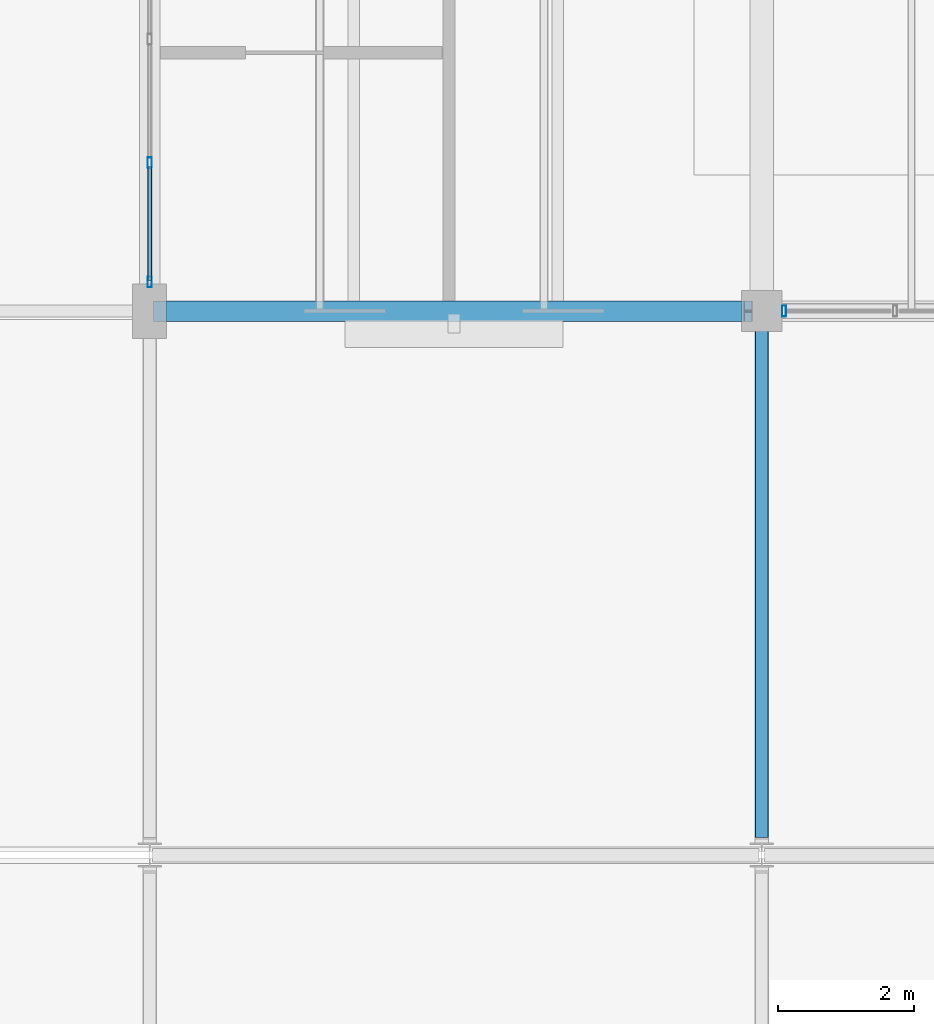
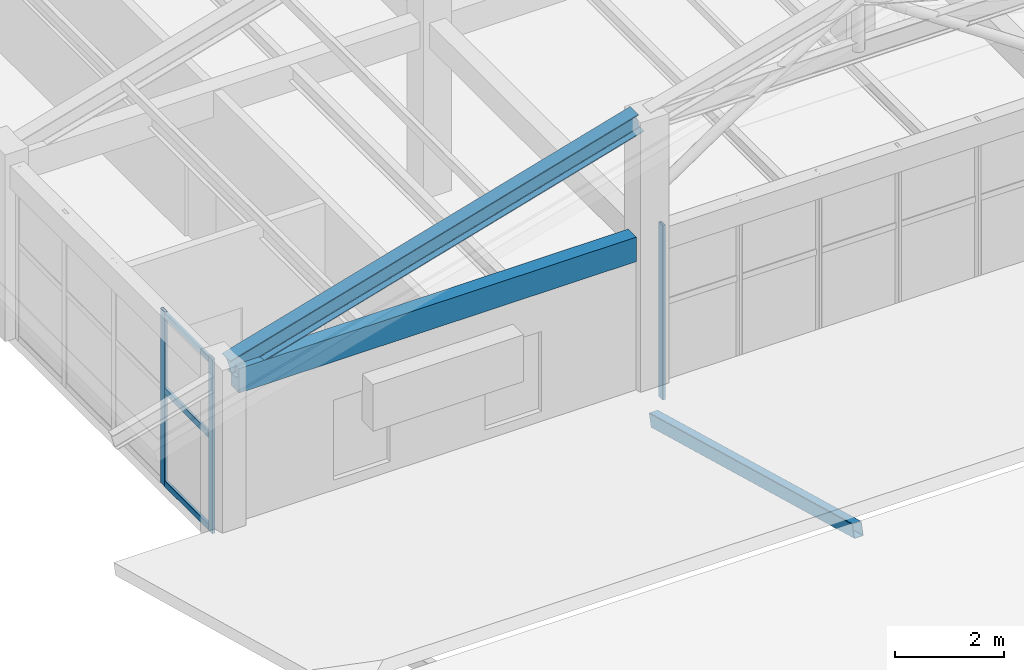
# One storey, part 9 of 58: 7 members, 2 beams, 2 elements without a shape of their own.
"""IFC4 building model written with IfcOpenShell, lengths in metres."""

from ifc_helpers import new_model, si_unit, derived_unit, direction, frame, origin, origin_2d, place, context, subcontext, project, spatial, rectangle, hollow_rectangle, i_section, extrude, material, material_profile, profile_set, type_object, element, aggregate, save


model = new_model("IFC4")

# Units and contexts
model_context = context("Model", 3, precision=1e-05, world=origin(), true_north=direction((0.0, 1.0)))
body_context = subcontext(model_context, "Body", "Model", "MODEL_VIEW")
ifc_project = project(units=[si_unit("LENGTHUNIT", "METRE"), si_unit("AREAUNIT", "SQUARE_METRE"), si_unit("VOLUMEUNIT", "CUBIC_METRE"), si_unit("PLANEANGLEUNIT", "RADIAN"), si_unit("MASSUNIT", "GRAM", prefix="KILO"), derived_unit("THERMALTRANSMITTANCEUNIT", [(si_unit("MASSUNIT", "GRAM", prefix="KILO"), 1), (si_unit("TIMEUNIT", "SECOND"), -3), (si_unit("THERMODYNAMICTEMPERATUREUNIT", "KELVIN"), -1)])], contexts=[model_context])

# Site, building, storey
site_placement = place(None, origin())
site = spatial("IfcSite", under=ifc_project, at=site_placement, CompositionType="ELEMENT")
building_placement = place(site_placement, origin())
building = spatial("IfcBuilding", under=site, at=building_placement, Name="Zhenchuan Archway Interchange", CompositionType="ELEMENT")
storey_placement = place(building_placement, frame((0.0, 0.0, 22.800048828125)))
storey = spatial("IfcBuildingStorey", under=building, at=storey_placement, Name="L05", CompositionType="ELEMENT", Elevation=22.800048828125)

# Beam
ifc_material_1 = material(Name="Steel Q355", Category="steel")
ifc_material_profile_1 = material_profile(ifc_material_1, i_section(OverallWidth=0.300048828125, OverallDepth=0.43994140625, WebThickness=0.010986328125, FlangeThickness=0.01806640625, FilletRadius=0.02197265625, at=origin_2d()), Name="HM 440x300")
ifc_profile_set_1 = profile_set([ifc_material_profile_1], Name="Steel Q355")
beam_type_1 = type_object("IfcBeamType", Name="BM_STL_HM440", PredefinedType="BEAM", material=ifc_profile_set_1)
beam_1_placement = place(storey_placement, frame((144.1201171875, 24.0, 3.93994140625), z_axis=(0.960641143949, 0.0, 0.277792355102), x_axis=(0.0, 1.0, 0.0)))
element("IfcBeam", 1, at=beam_1_placement, inside=storey, type_object=beam_type_1, Name="ROOF TRUSS command wing T1 west lower rafter", PredefinedType="BEAM", context=body_context, shape_type="SweptSolid", body=[
    extrude(i_section(OverallWidth=0.300048828125, OverallDepth=0.43994140625, WebThickness=0.010986328125, FlangeThickness=0.01806640625, FilletRadius=0.02197265625, at=origin_2d()), origin(), (0.0, 0.0, 1.0), 9.03564453125),
])

# Curtain wall, member
ifc_material_2 = material(Name="Anodised Aluminium", Category="aluminium")
curtain_wall_type_1 = type_object("IfcCurtainWallType", Name="CW_UNIT_1", PredefinedType="NOTDEFINED", material=ifc_material_2)
curtain_wall_1_placement = place(storey_placement, origin())
curtain_wall_1 = element("IfcCurtainWall", 2, at=curtain_wall_1_placement, inside=storey, type_object=curtain_wall_type_1, Name="Unitised curtain wall CW:L05:200", PredefinedType="NOTDEFINED")
ifc_material_profile_2 = material_profile(ifc_material_2, hollow_rectangle(XDim=0.06005859375, YDim=0.159912109375, WallThickness=0.00390625, InnerFilletRadius=0.00390625, OuterFilletRadius=0.008056640625, at=origin_2d()), Name="ALU 160x60x4")
ifc_profile_set_2 = profile_set([ifc_material_profile_2], Name="Anodised Aluminium")
member_type_1 = type_object("IfcMemberType", Name="CW_MUL_150", PredefinedType="MULLION", material=ifc_profile_set_2)
member_1_placement = place(storey_placement, frame((153.327880859375, 24.0, 0.0), z_axis=(0.0, 0.0, 1.0), x_axis=(1.0, 0.0, 0.0)))
member_1 = element("IfcMember", 3, at=member_1_placement, type_object=member_type_1, Name="CW:L05:200 mullion 5", PredefinedType="MULLION", context=body_context, shape_type="SweptSolid", body=[
    extrude(hollow_rectangle(XDim=0.06005859375, YDim=0.159912109375, WallThickness=0.00390625, InnerFilletRadius=0.00390625, OuterFilletRadius=0.008056640625, at=origin_2d()), origin(), (0.0, 0.0, 1.0), 3.919921875),
])
aggregate(curtain_wall_1, [member_1])

# Curtain wall, members
curtain_wall_type_2 = type_object("IfcCurtainWallType", Name="CW_UNIT_2", PredefinedType="NOTDEFINED", material=ifc_material_2)
curtain_wall_2_placement = place(storey_placement, origin())
curtain_wall_2 = element("IfcCurtainWall", 4, at=curtain_wall_2_placement, inside=storey, type_object=curtain_wall_type_2, Name="Unitised curtain wall CW:L05:201", PredefinedType="NOTDEFINED")
member_2_placement = place(storey_placement, frame((144.0, 24.427978515625, 0.0), z_axis=(0.0, 0.0, 1.0), x_axis=(1.0, 0.0, 0.0)))
member_2 = element("IfcMember", 5, at=member_2_placement, type_object=member_type_1, Name="CW:L05:201 mullion 0", PredefinedType="MULLION", context=body_context, shape_type="SweptSolid", body=[
    extrude(hollow_rectangle(XDim=0.06005859375, YDim=0.159912109375, WallThickness=0.00390625, InnerFilletRadius=0.00390625, OuterFilletRadius=0.008056640625, at=origin_2d()), origin(), (0.0, 0.0, 1.0), 3.919921875),
])
member_3_placement = place(storey_placement, frame((144.0, 26.18408203125, 0.0), z_axis=(0.0, 0.0, 1.0), x_axis=(1.0, 0.0, 0.0)))
member_3 = element("IfcMember", 6, at=member_3_placement, type_object=member_type_1, Name="CW:L05:201 mullion 1", PredefinedType="MULLION", context=body_context, shape_type="SweptSolid", body=[
    extrude(hollow_rectangle(XDim=0.06005859375, YDim=0.159912109375, WallThickness=0.00390625, InnerFilletRadius=0.00390625, OuterFilletRadius=0.008056640625, at=origin_2d()), origin(), (0.0, 0.0, 1.0), 3.919921875),
])
ifc_material_profile_3 = material_profile(ifc_material_2, hollow_rectangle(XDim=0.06005859375, YDim=0.139892578125, WallThickness=0.00341796875, InnerFilletRadius=0.00341796875, OuterFilletRadius=0.007080078125, at=origin_2d()), Name="ALU 140x60x3.5")
ifc_profile_set_3 = profile_set([ifc_material_profile_3], Name="Anodised Aluminium")
member_type_2 = type_object("IfcMemberType", Name="CW_TRN_140", PredefinedType="USERDEFINED", material=ifc_profile_set_3)
member_4_placement = place(storey_placement, frame((144.0, 24.447998046875, 0.06005859375), z_axis=(0.0, 1.0, 0.0), x_axis=(-1.0, 0.0, 0.0)))
member_4 = element("IfcMember", 7, at=member_4_placement, type_object=member_type_2, Name="CW:L05:201 transom 0-1", ObjectType="TRANSOM", PredefinedType="USERDEFINED", context=body_context, shape_type="SweptSolid", body=[
    extrude(hollow_rectangle(XDim=0.06005859375, YDim=0.139892578125, WallThickness=0.00341796875, InnerFilletRadius=0.00341796875, OuterFilletRadius=0.007080078125, at=origin_2d()), origin(), (0.0, 0.0, 1.0), 1.676025390625),
])
member_5_placement = place(storey_placement, frame((144.0, 24.447998046875, 2.14501953125), z_axis=(0.0, 1.0, 0.0), x_axis=(-1.0, 0.0, 0.0)))
member_5 = element("IfcMember", 8, at=member_5_placement, type_object=member_type_2, Name="CW:L05:201 transom 0-2", ObjectType="TRANSOM", PredefinedType="USERDEFINED", context=body_context, shape_type="SweptSolid", body=[
    extrude(hollow_rectangle(XDim=0.06005859375, YDim=0.139892578125, WallThickness=0.00341796875, InnerFilletRadius=0.00341796875, OuterFilletRadius=0.007080078125, at=origin_2d()), origin(), (0.0, 0.0, 1.0), 1.676025390625),
])
member_6_placement = place(storey_placement, frame((144.0, 24.447998046875, 3.83984375), z_axis=(0.0, 1.0, 0.0), x_axis=(-1.0, 0.0, 0.0)))
member_6 = element("IfcMember", 9, at=member_6_placement, type_object=member_type_2, Name="CW:L05:201 transom 0-3", ObjectType="TRANSOM", PredefinedType="USERDEFINED", context=body_context, shape_type="SweptSolid", body=[
    extrude(hollow_rectangle(XDim=0.06005859375, YDim=0.139892578125, WallThickness=0.00341796875, InnerFilletRadius=0.00341796875, OuterFilletRadius=0.007080078125, at=origin_2d()), origin(), (0.0, 0.0, 1.0), 1.676025390625),
])
aggregate(curtain_wall_2, [member_2, member_3, member_4, member_5, member_6])

# Member
ifc_material_profile_4 = material_profile(ifc_material_1, hollow_rectangle(XDim=0.199951171875, YDim=0.300048828125, WallThickness=0.010009765625, InnerFilletRadius=0.010009765625, OuterFilletRadius=0.02001953125, at=origin_2d()), Name="RHS 300x200x10")
ifc_profile_set_4 = profile_set([ifc_material_profile_4], Name="Steel Q355")
member_type_3 = type_object("IfcMemberType", Name="MB_RHS300", PredefinedType="CHORD", material=ifc_profile_set_4)
member_7_placement = place(storey_placement, frame((153.0, 16.219970703125, 1.85986328125), z_axis=(0.0, 0.964770361033, -0.263093425368), x_axis=(-1.0, 0.0, 0.0)))
element("IfcMember", 10, at=member_7_placement, inside=storey, type_object=member_type_3, Name="East bar S rafter X153-2", PredefinedType="CHORD", context=body_context, shape_type="SweptSolid", body=[
    extrude(hollow_rectangle(XDim=0.199951171875, YDim=0.300048828125, WallThickness=0.010009765625, InnerFilletRadius=0.010009765625, OuterFilletRadius=0.02001953125, at=origin_2d()), origin(), (0.0, 0.0, 1.0), 7.753173828125),
])

# Beam
ifc_material_3 = material(Name="Concrete C40", Category="concrete")
ifc_material_profile_5 = material_profile(ifc_material_3, rectangle(XDim=0.300048828125, YDim=0.550048828125, at=origin_2d()), Name="RC 300x550")
ifc_profile_set_5 = profile_set([ifc_material_profile_5], Name="Concrete C40")
beam_type_2 = type_object("IfcBeamType", Name="SP_RC_300x550", PredefinedType="SPANDREL", material=ifc_profile_set_5)
beam_2_placement = place(storey_placement, frame((144.25, 24.0, 3.64501953125), z_axis=(1.0, 0.0, 0.0), x_axis=(0.0, 1.0, 0.0)))
element("IfcBeam", 11, at=beam_2_placement, inside=storey, type_object=beam_type_2, Name="Beam D:17-18 (L05)", PredefinedType="SPANDREL", context=body_context, shape_type="SweptSolid", body=[
    extrude(rectangle(XDim=0.300048828125, YDim=0.550048828125, at=origin_2d()), origin(), (0.0, 0.0, 1.0), 8.449951171875),
])

save(model, "model.ifc")
